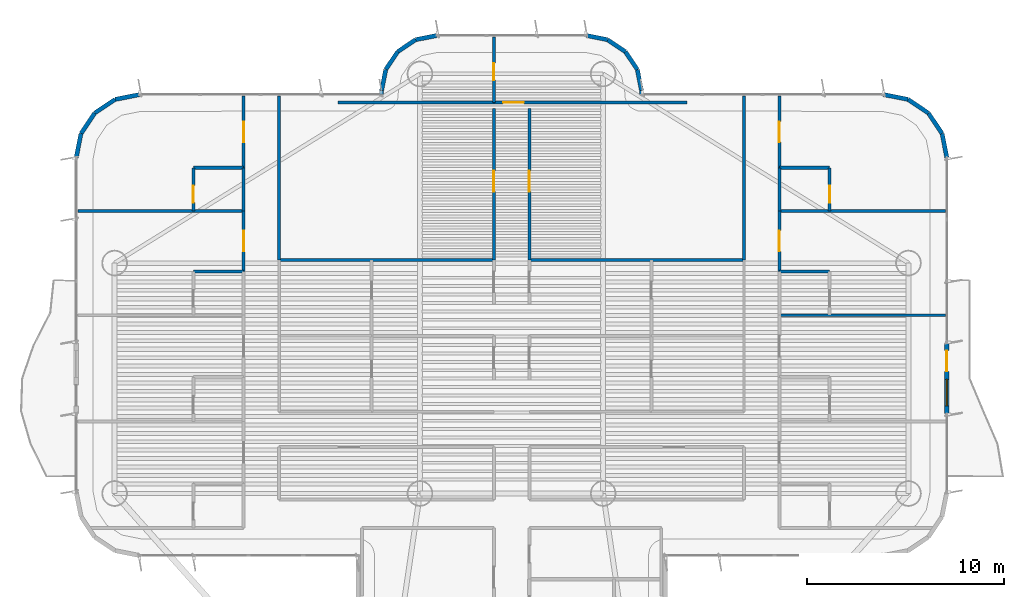
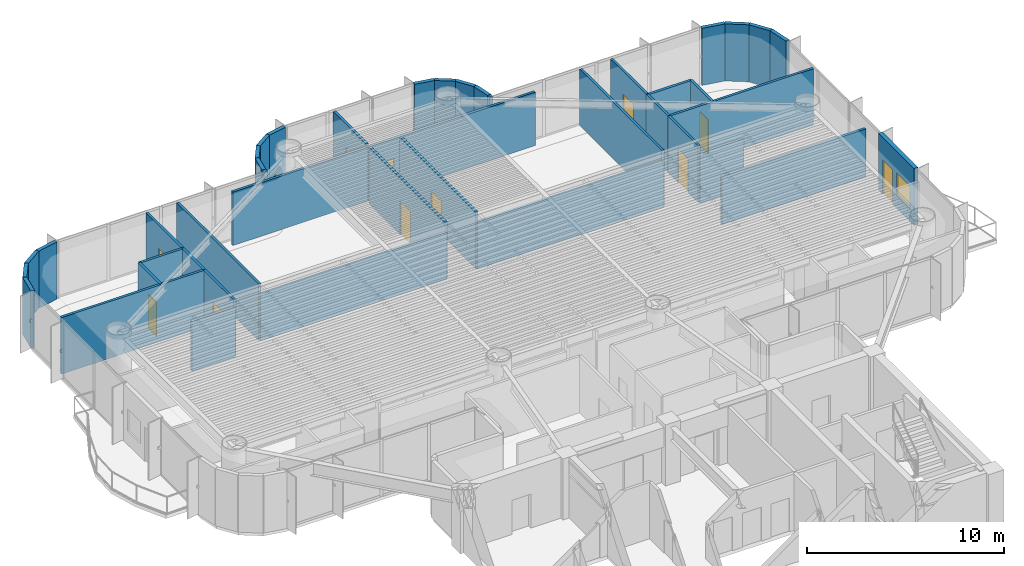
# One storey, part 12 of 17: 43 walls, 11 doors, 1 window, 12 openings.
"""IFC4 building model written with IfcOpenShell, lengths in metres."""

from ifc_helpers import new_model, si_unit, direction, frame, frame_2d, origin, origin_2d, place, context, subcontext, project, spatial, rectangle, extrude, source, transform, mapped, material, layer, layer_set, type_object, element, fill, save


model = new_model("IFC4")

# Units and contexts
model_context = context("Model", 3, precision=1e-05, world=origin(), true_north=direction((0.0, 1.0)))
body_context = subcontext(model_context, "Body", "Model", "MODEL_VIEW")
ifc_project = project(units=[si_unit("LENGTHUNIT", "METRE"), si_unit("AREAUNIT", "SQUARE_METRE"), si_unit("VOLUMEUNIT", "CUBIC_METRE"), si_unit("PLANEANGLEUNIT", "RADIAN"), si_unit("MASSUNIT", "GRAM", prefix="KILO")], contexts=[model_context])

# Site, building, storey
site_placement = place(None, origin())
site = spatial("IfcSite", under=ifc_project, at=site_placement, CompositionType="ELEMENT")
building_placement = place(site_placement, origin())
building = spatial("IfcBuilding", under=site, at=building_placement, Name="Brelvock Crest Care Tower", CompositionType="ELEMENT")
storey_placement = place(building_placement, frame((0.0, 0.0, 135.179931640625)))
storey = spatial("IfcBuildingStorey", under=building, at=storey_placement, Name="L34", CompositionType="ELEMENT", Elevation=135.179931640625)

# Wall, openings, door, window
ifc_material_1 = material(Name="Precast concrete N40 (40 MPa)", Category="concrete")
ifc_layer_1 = layer(ifc_material_1, 0.239990234375, Name="WL-EX1")
ifc_layer_set_1 = layer_set([ifc_layer_1], Name="Precast concrete N40 (40 MPa)")
wall_type_1 = type_object("IfcWallType", Name="WL-EX1", PredefinedType="SOLIDWALL", material=ifc_layer_set_1)
wall_1_placement = place(storey_placement, frame((58.10009765625, 34.800048828125, 0.0), z_axis=(0.0, 0.0, 1.0), x_axis=(0.0, -1.0, 0.0)))
wall_1 = element("IfcWall", 1, at=wall_1_placement, inside=storey, type_object=wall_type_1, Name="L34 Exterior Spandrel Wall WL-BAL-L34-E", PredefinedType="SOLIDWALL", context=body_context, shape_type="SweptSolid", body=[
    extrude(rectangle(XDim=3.60009765625, YDim=0.239990234375, at=frame_2d((1.800048828125, 0.0))), origin(), (0.0, 0.0, 1.0), 3.530029296875),
])
opening_1_placement = place(wall_1_placement, frame((0.39990234375, 0.0, 0.0)))
opening_1 = element("IfcOpeningElement", 2, at=opening_1_placement, cuts=wall_1, Name="Opening BD-1", PredefinedType="OPENING", context=body_context, shape_type="SweptSolid", body=[
    extrude(rectangle(XDim=1.050048828125, YDim=2.14990234375, at=origin_2d()), frame((0.52490234375, 0.1298828125, 1.074951171875), z_axis=(0.0, -1.0, 0.0), x_axis=(1.0, 0.0, 0.0)), (0.0, 0.0, 1.0), 0.260009765625),
])
opening_2_placement = place(wall_1_placement, frame((1.85009765625, 0.0, 0.85009765625)))
opening_2 = element("IfcOpeningElement", 3, at=opening_2_placement, cuts=wall_1, Name="Opening W-01", PredefinedType="OPENING", context=body_context, shape_type="SweptSolid", body=[
    extrude(rectangle(XDim=1.35009765625, YDim=1.35009765625, at=origin_2d()), frame((0.675048828125, 0.1298828125, 0.675048828125), z_axis=(0.0, -1.0, 0.0), x_axis=(1.0, 0.0, 0.0)), (0.0, 0.0, 1.0), 0.260009765625),
])
ifc_material_2 = material(Name="Dark Glass Double Glazed Low-E", Category="glass")
door_type_1 = type_object("IfcDoorType", Name="DR-BAL1", OperationType="NOTDEFINED", PredefinedType="DOOR", material=ifc_material_2)
shared_shape_1 = source(origin(), body_context, "Body", "SweptSolid", [
    extrude(rectangle(XDim=1.050048828125, YDim=2.14990234375, at=origin_2d()), frame((0.52490234375, 0.02490234375, 1.074951171875), z_axis=(0.0, -1.0, 0.0), x_axis=(1.0, 0.0, 0.0)), (0.0, 0.0, 1.0), 0.050048828125),
])
door_1_placement = place(opening_1_placement, origin())
door_1 = element("IfcDoor", 4, at=door_1_placement, inside=storey, type_object=door_type_1, Name="L34 E Wave Balcony Glazed Door", OperationType="SINGLE_SWING_RIGHT", OverallHeight=2.14990234375, OverallWidth=1.050048828125, PredefinedType="DOOR", context=body_context, shape_type="MappedRepresentation", body=[
    mapped(shared_shape_1, transform((0.0, 0.0, 0.0), x_axis=(1.0, 0.0, 0.0), y_axis=(0.0, 1.0, 0.0), z_axis=(0.0, 0.0, 1.0), scale=1.0)),
])
fill(opening_1, door_1)
window_type = type_object("IfcWindowType", Name="WN-EX1", PartitioningType="SINGLE_PANEL", PredefinedType="WINDOW", material=ifc_material_2)
shared_shape_2 = source(origin(), body_context, "Body", "SweptSolid", [
    extrude(rectangle(XDim=1.35009765625, YDim=1.35009765625, at=origin_2d()), frame((0.675048828125, 0.030029296875, 0.675048828125), z_axis=(0.0, -1.0, 0.0), x_axis=(1.0, 0.0, 0.0)), (0.0, 0.0, 1.0), 0.06005859375),
])
window_placement = place(opening_2_placement, origin())
window = element("IfcWindow", 5, at=window_placement, inside=storey, type_object=window_type, Name="L34 E Suite Casement Window", OverallHeight=1.35009765625, OverallWidth=1.35009765625, PartitioningType="SINGLE_PANEL", PredefinedType="WINDOW", context=body_context, shape_type="MappedRepresentation", body=[
    mapped(shared_shape_2, transform((0.0, 0.0, 0.0), x_axis=(1.0, 0.0, 0.0), y_axis=(0.0, 1.0, 0.0), z_axis=(0.0, 0.0, 1.0), scale=1.0)),
])
fill(opening_2, window)

# Walls
ifc_layer_2 = layer(ifc_material_1, 0.215087890625, Name="WL-EX2")
ifc_layer_set_2 = layer_set([ifc_layer_2], Name="Precast concrete N40 (40 MPa)")
wall_type_2 = type_object("IfcWallType", Name="WL-EX2", PredefinedType="SOLIDWALL", material=ifc_layer_set_2)
for number, where, z_axis, x_axis, name in (
    (6, (13.89990234375, 44.199951171875, 0.0), (0.0, 0.0, 1.0), (0.195138390419, 0.980775717779, 0.0), "L34 Rounded Corner Wall 18"),
    (7, (14.1435546875, 45.424560546875, 0.0), (0.0, 0.0, 1.0), (0.555692485475, 0.831387912822, 0.0), "L34 Rounded Corner Wall 19"),
    (8, (14.83740234375, 46.462646484375, 0.0), (0.0, 0.0, 1.0), (0.831387912822, 0.555692485475, 0.0), "L34 Rounded Corner Wall 20"),
    (9, (15.87548828125, 47.156494140625, 0.0), (0.0, 0.0, 1.0), (0.980813122964, 0.194950295773, 0.0), "L34 Rounded Corner Wall 21"),
):
    element("IfcWall", number, at=place(storey_placement, frame(where, z_axis=z_axis, x_axis=x_axis)), inside=storey, type_object=wall_type_2, Name=name, PredefinedType="SOLIDWALL", context=body_context, shape_type="SweptSolid", body=[
        extrude(rectangle(XDim=1.24853515625, YDim=0.215087890625, at=frame_2d((0.624267578125, 0.0))), origin(), (0.0, 0.0, 1.0), 3.530029296875),
    ])
wall_2_placement = place(storey_placement, frame((29.39990234375, 47.39990234375, 0.0), z_axis=(0.0, 0.0, 1.0), x_axis=(0.0, 1.0, 0.0)))
element("IfcWall", 10, at=wall_2_placement, inside=storey, type_object=wall_type_2, Name="L34 Rounded Corner Wall 23", PredefinedType="SOLIDWALL", context=body_context, shape_type="SweptSolid", body=[
    extrude(rectangle(XDim=0.2001953125, YDim=0.215087890625, at=frame_2d((0.10009765625, 0.0))), origin(), (0.0, 0.0, 1.0), 3.530029296875),
])
wall_3_placement = place(storey_placement, frame((29.39990234375, 47.60009765625, 0.0), z_axis=(0.0, 0.0, 1.0), x_axis=(0.195127417394, 0.980777900945, 0.0)))
element("IfcWall", 11, at=wall_3_placement, inside=storey, type_object=wall_type_2, Name="L34 Rounded Corner Wall 24", PredefinedType="SOLIDWALL", context=body_context, shape_type="SweptSolid", body=[
    extrude(rectangle(XDim=1.09228515625, YDim=0.215087890625, at=frame_2d((0.546142578125, 0.0))), origin(), (0.0, 0.0, 1.0), 3.530029296875),
])
wall_4_placement = place(storey_placement, frame((29.613037109375, 48.67138671875, 0.0), z_axis=(0.0, 0.0, 1.0), x_axis=(0.555679482341, 0.831396603857, 0.0)))
element("IfcWall", 12, at=wall_4_placement, inside=storey, type_object=wall_type_2, Name="L34 Rounded Corner Wall 25", PredefinedType="SOLIDWALL", context=body_context, shape_type="SweptSolid", body=[
    extrude(rectangle(XDim=1.0927734375, YDim=0.215087890625, at=frame_2d((0.54638671875, 0.0))), origin(), (0.0, 0.0, 1.0), 3.530029296875),
])
for number, where, z_axis, x_axis, name in (
    (13, (30.22021484375, 49.579833984375, 0.0), (0.0, 0.0, 1.0), (0.831327592857, 0.555782721353, 0.0), "L34 Rounded Corner Wall 26"),
    (14, (31.12841796875, 50.18701171875, 0.0), (0.0, 0.0, 1.0), (0.980829143587, 0.194869677195, 0.0), "L34 Rounded Corner Wall 27"),
    (15, (39.800048828125, 50.39990234375, 0.0), (0.0, 0.0, 1.0), (0.980829143587, -0.194869677195, 0.0), "L34 Rounded Corner Wall 29"),
    (16, (40.87158203125, 50.18701171875, 0.0), (0.0, 0.0, 1.0), (0.831327592857, -0.555782721353, 0.0), "L34 Rounded Corner Wall 30"),
):
    element("IfcWall", number, at=place(storey_placement, frame(where, z_axis=z_axis, x_axis=x_axis)), inside=storey, type_object=wall_type_2, Name=name, PredefinedType="SOLIDWALL", context=body_context, shape_type="SweptSolid", body=[
        extrude(rectangle(XDim=1.092529296875, YDim=0.215087890625, at=frame_2d((0.54638671875, 0.0))), origin(), (0.0, 0.0, 1.0), 3.530029296875),
    ])
wall_5_placement = place(storey_placement, frame((41.77978515625, 49.579833984375, 0.0), z_axis=(0.0, 0.0, 1.0), x_axis=(0.555679482341, -0.831396603857, 0.0)))
element("IfcWall", 17, at=wall_5_placement, inside=storey, type_object=wall_type_2, Name="L34 Rounded Corner Wall 31", PredefinedType="SOLIDWALL", context=body_context, shape_type="SweptSolid", body=[
    extrude(rectangle(XDim=1.0927734375, YDim=0.215087890625, at=frame_2d((0.54638671875, 0.0))), origin(), (0.0, 0.0, 1.0), 3.530029296875),
])
wall_6_placement = place(storey_placement, frame((42.386962890625, 48.67138671875, 0.0), z_axis=(0.0, 0.0, 1.0), x_axis=(0.195127417394, -0.980777900945, 0.0)))
element("IfcWall", 18, at=wall_6_placement, inside=storey, type_object=wall_type_2, Name="L34 Rounded Corner Wall 32", PredefinedType="SOLIDWALL", context=body_context, shape_type="SweptSolid", body=[
    extrude(rectangle(XDim=1.09228515625, YDim=0.215087890625, at=frame_2d((0.546142578125, 0.0))), origin(), (0.0, 0.0, 1.0), 3.530029296875),
])
wall_7_placement = place(storey_placement, frame((42.60009765625, 47.60009765625, 0.0), z_axis=(0.0, 0.0, 1.0), x_axis=(0.0, -1.0, 0.0)))
element("IfcWall", 19, at=wall_7_placement, inside=storey, type_object=wall_type_2, Name="L34 Rounded Corner Wall 33", PredefinedType="SOLIDWALL", context=body_context, shape_type="SweptSolid", body=[
    extrude(rectangle(XDim=0.2001953125, YDim=0.215087890625, at=frame_2d((0.10009765625, 0.0))), origin(), (0.0, 0.0, 1.0), 3.530029296875),
])
for number, where, z_axis, x_axis, name in (
    (20, (54.89990234375, 47.39990234375, 0.0), (0.0, 0.0, 1.0), (0.980813122964, -0.194950295773, 0.0), "L34 Rounded Corner Wall 35"),
    (21, (56.12451171875, 47.156494140625, 0.0), (0.0, 0.0, 1.0), (0.831387912822, -0.555692485475, 0.0), "L34 Rounded Corner Wall 36"),
    (22, (57.16259765625, 46.462646484375, 0.0), (0.0, 0.0, 1.0), (0.555692485475, -0.831387912822, 0.0), "L34 Rounded Corner Wall 37"),
    (23, (57.8564453125, 45.424560546875, 0.0), (0.0, 0.0, 1.0), (0.195138390419, -0.980775717779, 0.0), "L34 Rounded Corner Wall 38"),
):
    element("IfcWall", number, at=place(storey_placement, frame(where, z_axis=z_axis, x_axis=x_axis)), inside=storey, type_object=wall_type_2, Name=name, PredefinedType="SOLIDWALL", context=body_context, shape_type="SweptSolid", body=[
        extrude(rectangle(XDim=1.24853515625, YDim=0.215087890625, at=frame_2d((0.624267578125, 0.0))), origin(), (0.0, 0.0, 1.0), 3.530029296875),
    ])
ifc_material_3 = material(Name="Masonry Blockwork Acoustic Partition", Category="masonry")
ifc_layer_3 = layer(ifc_material_3, 0.14990234375, Name="WL-INT1")
ifc_layer_set_3 = layer_set([ifc_layer_3], Name="Masonry Blockwork Acoustic Partition")
wall_type_3 = type_object("IfcWallType", Name="WL-INT1", PredefinedType="PARTITIONING", material=ifc_layer_set_3)
wall_8_placement = place(storey_placement, frame((49.60009765625, 36.199951171875, 0.0), z_axis=(0.0, 0.0, 1.0), x_axis=(1.0, 0.0, 0.0)))
element("IfcWall", 24, at=wall_8_placement, inside=storey, type_object=wall_type_3, Name="L34 Interior Wall WL-BX-L34-CS-SNE2-N", PredefinedType="PARTITIONING", context=body_context, shape_type="SweptSolid", body=[
    extrude(rectangle(XDim=8.419921875, YDim=0.14990234375, at=frame_2d((4.2099609375, 0.0))), origin(), (0.0, 0.0, 1.0), 2.982177734375),
])
for number, where, z_axis, x_axis, name in (
    (25, (24.199951171875, 39.0, 0.0), (0.0, 0.0, 1.0), (1.0, 0.0, 0.0), "L34 Interior Wall WL-BX-L34-INWD-S"),
    (26, (36.89990234375, 39.0, 0.0), (0.0, 0.0, 1.0), (1.0, 0.0, 0.0), "L34 Interior Wall WL-BX-L34-INED-S"),
):
    element("IfcWall", number, at=place(storey_placement, frame(where, z_axis=z_axis, x_axis=x_axis)), inside=storey, type_object=wall_type_3, Name=name, PredefinedType="PARTITIONING", context=body_context, shape_type="SweptSolid", body=[
        extrude(rectangle(XDim=10.900146484375, YDim=0.14990234375, at=frame_2d((5.4501953125, 0.0))), origin(), (0.0, 0.0, 1.0), 2.903076171875),
    ])
for number, where, z_axis, x_axis, name in (
    (27, (13.97998046875, 41.5, 0.0), (0.0, 0.0, 1.0), (1.0, 0.0, 0.0), "L34 Interior Wall WL-BX-L34-CS-SNW3-N"),
    (28, (49.60009765625, 41.5, 0.0), (0.0, 0.0, 1.0), (1.0, 0.0, 0.0), "L34 Interior Wall WL-BX-L34-CS-SNE3-N"),
):
    element("IfcWall", number, at=place(storey_placement, frame(where, z_axis=z_axis, x_axis=x_axis)), inside=storey, type_object=wall_type_3, Name=name, PredefinedType="PARTITIONING", context=body_context, shape_type="SweptSolid", body=[
        extrude(rectangle(XDim=8.419921875, YDim=0.14990234375, at=frame_2d((4.2099609375, 0.0))), origin(), (0.0, 0.0, 1.0), 3.5),
    ])
wall_9_placement = place(storey_placement, frame((27.19775390625, 47.0, 0.0), z_axis=(0.0, 0.0, 1.0), x_axis=(1.0, 0.0, 0.0)))
element("IfcWall", 29, at=wall_9_placement, inside=storey, type_object=wall_type_3, Name="L34 Interior Wall WL-BX-L34-SNKT-S", PredefinedType="PARTITIONING", context=body_context, shape_type="SweptSolid", body=[
    extrude(rectangle(XDim=7.90234375, YDim=0.14990234375, at=frame_2d((3.951171875, 0.0))), origin(), (0.0, 0.0, 1.0), 3.30810546875),
])

# Wall, opening, door
wall_10_placement = place(storey_placement, frame((35.10009765625, 47.0, 0.0), z_axis=(0.0, 0.0, 1.0), x_axis=(1.0, 0.0, 0.0)))
wall_10 = element("IfcWall", 30, at=wall_10_placement, inside=storey, type_object=wall_type_3, Name="L34 Interior Wall WL-RM-L34-NHUB", PredefinedType="PARTITIONING", context=body_context, shape_type="SweptSolid", body=[
    extrude(rectangle(XDim=9.7998046875, YDim=0.14990234375, at=frame_2d((4.89990234375, 0.0))), origin(), (0.0, 0.0, 1.0), 3.30810546875),
])
opening_3_placement = place(wall_10_placement, frame((0.47509765625, 0.0, 0.0)))
opening_3 = element("IfcOpeningElement", 31, at=opening_3_placement, cuts=wall_10, Name="Opening CLD-1", PredefinedType="OPENING", context=body_context, shape_type="SweptSolid", body=[
    extrude(rectangle(XDim=1.050048828125, YDim=2.10009765625, at=origin_2d()), frame((0.52490234375, 0.0849609375, 1.050048828125), z_axis=(0.0, -1.0, 0.0), x_axis=(1.0, 0.0, 0.0)), (0.0, 0.0, 1.0), 0.169921875),
])
ifc_material_4 = material(Name="Engineered Hardwood Timber", Category="wood")
door_type_2 = type_object("IfcDoorType", Name="DR-CLN1", OperationType="NOTDEFINED", PredefinedType="DOOR", material=ifc_material_4)
shared_shape_3 = source(origin(), body_context, "Body", "SweptSolid", [
    extrude(rectangle(XDim=1.050048828125, YDim=2.10009765625, at=origin_2d()), frame((0.52490234375, 0.02490234375, 1.050048828125), z_axis=(0.0, -1.0, 0.0), x_axis=(1.0, 0.0, 0.0)), (0.0, 0.0, 1.0), 0.050048828125),
])
door_2_placement = place(opening_3_placement, origin())
door_2 = element("IfcDoor", 32, at=door_2_placement, inside=storey, type_object=door_type_2, Name="L34 North Panorama Sunroom Door NHUB", OperationType="SINGLE_SWING_LEFT", OverallHeight=2.10009765625, OverallWidth=1.050048828125, PredefinedType="DOOR", context=body_context, shape_type="MappedRepresentation", body=[
    mapped(shared_shape_3, transform((0.0, 0.0, 0.0), x_axis=(1.0, 0.0, 0.0), y_axis=(0.0, 1.0, 0.0), z_axis=(0.0, 0.0, 1.0), scale=1.0)),
])
fill(opening_3, door_2)

wall_11_placement = place(storey_placement, frame((22.39990234375, 38.426025390625, 0.0), z_axis=(0.0, 0.0, 1.0), x_axis=(0.0, 1.0, 0.0)))
wall_11 = element("IfcWall", 33, at=wall_11_placement, inside=storey, type_object=wall_type_3, Name="L34 Interior Wall WL-CENT-L34-SNW3", PredefinedType="PARTITIONING", context=body_context, shape_type="SweptSolid", body=[
    extrude(rectangle(XDim=3.073974609375, YDim=0.14990234375, at=frame_2d((1.537109375, 0.0))), origin(), (0.0, 0.0, 1.0), 3.5),
])
opening_4_placement = place(wall_11_placement, frame((1.01708984375, 0.0, 0.0)))
opening_4 = element("IfcOpeningElement", 34, at=opening_4_placement, cuts=wall_11, Name="Opening CD-1", PredefinedType="OPENING", context=body_context, shape_type="SweptSolid", body=[
    extrude(rectangle(XDim=1.050048828125, YDim=2.10009765625, at=origin_2d()), frame((0.52490234375, 0.0849609375, 1.050048828125), z_axis=(0.0, -1.0, 0.0), x_axis=(1.0, 0.0, 0.0)), (0.0, 0.0, 1.0), 0.169921875),
])
door_type_3 = type_object("IfcDoorType", Name="DR-CARE1", OperationType="NOTDEFINED", PredefinedType="DOOR", material=ifc_material_4)
shared_shape_4 = source(origin(), body_context, "Body", "SweptSolid", [
    extrude(rectangle(XDim=1.050048828125, YDim=2.10009765625, at=origin_2d()), frame((0.52490234375, 0.02490234375, 1.050048828125), z_axis=(0.0, -1.0, 0.0), x_axis=(1.0, 0.0, 0.0)), (0.0, 0.0, 1.0), 0.050048828125),
])
door_3_placement = place(opening_4_placement, origin())
door_3 = element("IfcDoor", 35, at=door_3_placement, inside=storey, type_object=door_type_3, Name="L34 Care Suite Door SNW3", OperationType="SINGLE_SWING_LEFT", OverallHeight=2.10009765625, OverallWidth=1.050048828125, PredefinedType="DOOR", context=body_context, shape_type="MappedRepresentation", body=[
    mapped(shared_shape_4, transform((0.0, 0.0, 0.0), x_axis=(1.0, 0.0, 0.0), y_axis=(0.0, 1.0, 0.0), z_axis=(0.0, 0.0, 1.0), scale=1.0)),
])
fill(opening_4, door_3)

wall_12_placement = place(storey_placement, frame((22.39990234375, 43.68408203125, 0.0), z_axis=(0.0, 0.0, 1.0), x_axis=(0.0, 1.0, 0.0)))
wall_12 = element("IfcWall", 36, at=wall_12_placement, inside=storey, type_object=wall_type_3, Name="L34 Interior Wall WL-CENT-L34-SNW4", PredefinedType="PARTITIONING", context=body_context, shape_type="SweptSolid", body=[
    extrude(rectangle(XDim=3.63671875, YDim=0.14990234375, at=frame_2d((1.818359375, 0.0))), origin(), (0.0, 0.0, 1.0), 3.5),
])
opening_5_placement = place(wall_12_placement, frame((1.298095703125, 0.0, 0.0)))
opening_5 = element("IfcOpeningElement", 37, at=opening_5_placement, cuts=wall_12, Name="Opening CD-1", PredefinedType="OPENING", context=body_context, shape_type="SweptSolid", body=[
    extrude(rectangle(XDim=1.050048828125, YDim=2.10009765625, at=origin_2d()), frame((0.52490234375, 0.0849609375, 1.050048828125), z_axis=(0.0, -1.0, 0.0), x_axis=(1.0, 0.0, 0.0)), (0.0, 0.0, 1.0), 0.169921875),
])
door_4_placement = place(opening_5_placement, origin())
door_4 = element("IfcDoor", 38, at=door_4_placement, inside=storey, type_object=door_type_3, Name="L34 Care Suite Door SNW4", OperationType="SINGLE_SWING_LEFT", OverallHeight=2.10009765625, OverallWidth=1.050048828125, PredefinedType="DOOR", context=body_context, shape_type="MappedRepresentation", body=[
    mapped(shared_shape_4, transform((0.0, 0.0, 0.0), x_axis=(1.0, 0.0, 0.0), y_axis=(0.0, 1.0, 0.0), z_axis=(0.0, 0.0, 1.0), scale=1.0)),
])
fill(opening_5, door_4)

# Wall
wall_13_placement = place(storey_placement, frame((24.199951171875, 39.0, 0.0), z_axis=(0.0, 0.0, 1.0), x_axis=(0.0, 1.0, 0.0)))
element("IfcWall", 39, at=wall_13_placement, inside=storey, type_object=wall_type_3, Name="L34 Interior Wall WL-BX-L34-INWD-W", PredefinedType="PARTITIONING", context=body_context, shape_type="SweptSolid", body=[
    extrude(rectangle(XDim=8.32080078125, YDim=0.14990234375, at=frame_2d((4.160400390625, 0.0))), origin(), (0.0, 0.0, 1.0), 3.5),
])

# Wall, opening, door
wall_14_placement = place(storey_placement, frame((35.10009765625, 39.0, 0.0), z_axis=(0.0, 0.0, 1.0), x_axis=(0.0, 1.0, 0.0)))
wall_14 = element("IfcWall", 40, at=wall_14_placement, inside=storey, type_object=wall_type_3, Name="L34 Interior Wall WL-RM-L34-INWD", PredefinedType="PARTITIONING", context=body_context, shape_type="SweptSolid", body=[
    extrude(rectangle(XDim=7.699951171875, YDim=0.14990234375, at=frame_2d((3.85009765625, 0.0))), origin(), (0.0, 0.0, 1.0), 3.5),
])
opening_6_placement = place(wall_14_placement, frame((3.47509765625, 0.0, 0.0)))
opening_6 = element("IfcOpeningElement", 41, at=opening_6_placement, cuts=wall_14, Name="Opening CLD-1", PredefinedType="OPENING", context=body_context, shape_type="SweptSolid", body=[
    extrude(rectangle(XDim=1.050048828125, YDim=2.10009765625, at=origin_2d()), frame((0.52490234375, 0.0849609375, 1.050048828125), z_axis=(0.0, -1.0, 0.0), x_axis=(1.0, 0.0, 0.0)), (0.0, 0.0, 1.0), 0.169921875),
])
door_5_placement = place(opening_6_placement, origin())
door_5 = element("IfcDoor", 42, at=door_5_placement, inside=storey, type_object=door_type_2, Name="L34 Nursing Ward Medication Clinic Door INWD", OperationType="SINGLE_SWING_LEFT", OverallHeight=2.10009765625, OverallWidth=1.050048828125, PredefinedType="DOOR", context=body_context, shape_type="MappedRepresentation", body=[
    mapped(shared_shape_3, transform((0.0, 0.0, 0.0), x_axis=(1.0, 0.0, 0.0), y_axis=(0.0, 1.0, 0.0), z_axis=(0.0, 0.0, 1.0), scale=1.0)),
])
fill(opening_6, door_5)

wall_15_placement = place(storey_placement, frame((35.10009765625, 47.0, 0.0), z_axis=(0.0, 0.0, 1.0), x_axis=(0.0, 1.0, 0.0)))
wall_15 = element("IfcWall", 43, at=wall_15_placement, inside=storey, type_object=wall_type_3, Name="L34 Interior Wall WL-RM-L34-SNKT", PredefinedType="PARTITIONING", context=body_context, shape_type="SweptSolid", body=[
    extrude(rectangle(XDim=3.320068359375, YDim=0.14990234375, at=frame_2d((1.66015625, 0.0))), origin(), (0.0, 0.0, 1.0), 3.5),
])
opening_7_placement = place(wall_15_placement, frame((1.139892578125, 0.0, 0.0)))
opening_7 = element("IfcOpeningElement", 44, at=opening_7_placement, cuts=wall_15, Name="Opening ID-1", PredefinedType="OPENING", context=body_context, shape_type="SweptSolid", body=[
    extrude(rectangle(XDim=0.860107421875, YDim=2.10009765625, at=origin_2d()), frame((0.43017578125, 0.0849609375, 1.050048828125), z_axis=(0.0, -1.0, 0.0), x_axis=(1.0, 0.0, 0.0)), (0.0, 0.0, 1.0), 0.169921875),
])
door_type_4 = type_object("IfcDoorType", Name="DR-INT1", OperationType="NOTDEFINED", PredefinedType="DOOR", material=ifc_material_4)
shared_shape_5 = source(origin(), body_context, "Body", "SweptSolid", [
    extrude(rectangle(XDim=0.860107421875, YDim=2.10009765625, at=origin_2d()), frame((0.43017578125, 0.02490234375, 1.050048828125), z_axis=(0.0, -1.0, 0.0), x_axis=(1.0, 0.0, 0.0)), (0.0, 0.0, 1.0), 0.050048828125),
])
door_6_placement = place(opening_7_placement, origin())
door_6 = element("IfcDoor", 45, at=door_6_placement, inside=storey, type_object=door_type_4, Name="L34 Ward Finishing Kitchen Door SNKT", OperationType="SINGLE_SWING_LEFT", OverallHeight=2.10009765625, OverallWidth=0.860107421875, PredefinedType="DOOR", context=body_context, shape_type="MappedRepresentation", body=[
    mapped(shared_shape_5, transform((0.0, 0.0, 0.0), x_axis=(1.0, 0.0, 0.0), y_axis=(0.0, 1.0, 0.0), z_axis=(0.0, 0.0, 1.0), scale=1.0)),
])
fill(opening_7, door_6)

wall_16_placement = place(storey_placement, frame((36.89990234375, 39.0, 0.0), z_axis=(0.0, 0.0, 1.0), x_axis=(0.0, 1.0, 0.0)))
wall_16 = element("IfcWall", 46, at=wall_16_placement, inside=storey, type_object=wall_type_3, Name="L34 Interior Wall WL-RM-L34-INED", PredefinedType="PARTITIONING", context=body_context, shape_type="SweptSolid", body=[
    extrude(rectangle(XDim=7.699951171875, YDim=0.14990234375, at=frame_2d((3.85009765625, 0.0))), origin(), (0.0, 0.0, 1.0), 3.5),
])
opening_8_placement = place(wall_16_placement, frame((3.47509765625, 0.0, 0.0)))
opening_8 = element("IfcOpeningElement", 47, at=opening_8_placement, cuts=wall_16, Name="Opening CLD-1", PredefinedType="OPENING", context=body_context, shape_type="SweptSolid", body=[
    extrude(rectangle(XDim=1.050048828125, YDim=2.10009765625, at=origin_2d()), frame((0.52490234375, 0.0849609375, 1.050048828125), z_axis=(0.0, -1.0, 0.0), x_axis=(1.0, 0.0, 0.0)), (0.0, 0.0, 1.0), 0.169921875),
])
door_7_placement = place(opening_8_placement, origin())
door_7 = element("IfcDoor", 48, at=door_7_placement, inside=storey, type_object=door_type_2, Name="L34 Resident Family Dining Salon Door INED", OperationType="SINGLE_SWING_LEFT", OverallHeight=2.10009765625, OverallWidth=1.050048828125, PredefinedType="DOOR", context=body_context, shape_type="MappedRepresentation", body=[
    mapped(shared_shape_3, transform((0.0, 0.0, 0.0), x_axis=(1.0, 0.0, 0.0), y_axis=(0.0, 1.0, 0.0), z_axis=(0.0, 0.0, 1.0), scale=1.0)),
])
fill(opening_8, door_7)

# Wall
wall_17_placement = place(storey_placement, frame((47.800048828125, 39.0, 0.0), z_axis=(0.0, 0.0, 1.0), x_axis=(0.0, 1.0, 0.0)))
element("IfcWall", 49, at=wall_17_placement, inside=storey, type_object=wall_type_3, Name="L34 Interior Wall WL-BX-L34-INED-E", PredefinedType="PARTITIONING", context=body_context, shape_type="SweptSolid", body=[
    extrude(rectangle(XDim=8.32080078125, YDim=0.14990234375, at=frame_2d((4.160400390625, 0.0))), origin(), (0.0, 0.0, 1.0), 3.5),
])

# Wall, opening, door
wall_18_placement = place(storey_placement, frame((49.60009765625, 38.426025390625, 0.0), z_axis=(0.0, 0.0, 1.0), x_axis=(0.0, 1.0, 0.0)))
wall_18 = element("IfcWall", 50, at=wall_18_placement, inside=storey, type_object=wall_type_3, Name="L34 Interior Wall WL-CENT-L34-SNE3", PredefinedType="PARTITIONING", context=body_context, shape_type="SweptSolid", body=[
    extrude(rectangle(XDim=3.073974609375, YDim=0.14990234375, at=frame_2d((1.537109375, 0.0))), origin(), (0.0, 0.0, 1.0), 3.5),
])
opening_9_placement = place(wall_18_placement, frame((1.01708984375, 0.0, 0.0)))
opening_9 = element("IfcOpeningElement", 51, at=opening_9_placement, cuts=wall_18, Name="Opening CD-1", PredefinedType="OPENING", context=body_context, shape_type="SweptSolid", body=[
    extrude(rectangle(XDim=1.050048828125, YDim=2.10009765625, at=origin_2d()), frame((0.52490234375, 0.0849609375, 1.050048828125), z_axis=(0.0, -1.0, 0.0), x_axis=(1.0, 0.0, 0.0)), (0.0, 0.0, 1.0), 0.169921875),
])
door_8_placement = place(opening_9_placement, origin())
door_8 = element("IfcDoor", 52, at=door_8_placement, inside=storey, type_object=door_type_3, Name="L34 Care Suite Door SNE3", OperationType="SINGLE_SWING_LEFT", OverallHeight=2.10009765625, OverallWidth=1.050048828125, PredefinedType="DOOR", context=body_context, shape_type="MappedRepresentation", body=[
    mapped(shared_shape_4, transform((0.0, 0.0, 0.0), x_axis=(1.0, 0.0, 0.0), y_axis=(0.0, 1.0, 0.0), z_axis=(0.0, 0.0, 1.0), scale=1.0)),
])
fill(opening_9, door_8)

wall_19_placement = place(storey_placement, frame((49.60009765625, 43.68408203125, 0.0), z_axis=(0.0, 0.0, 1.0), x_axis=(0.0, 1.0, 0.0)))
wall_19 = element("IfcWall", 53, at=wall_19_placement, inside=storey, type_object=wall_type_3, Name="L34 Interior Wall WL-CENT-L34-SNE4", PredefinedType="PARTITIONING", context=body_context, shape_type="SweptSolid", body=[
    extrude(rectangle(XDim=3.63671875, YDim=0.14990234375, at=frame_2d((1.818359375, 0.0))), origin(), (0.0, 0.0, 1.0), 3.5),
])
opening_10_placement = place(wall_19_placement, frame((1.298095703125, 0.0, 0.0)))
opening_10 = element("IfcOpeningElement", 54, at=opening_10_placement, cuts=wall_19, Name="Opening CD-1", PredefinedType="OPENING", context=body_context, shape_type="SweptSolid", body=[
    extrude(rectangle(XDim=1.050048828125, YDim=2.10009765625, at=origin_2d()), frame((0.52490234375, 0.0849609375, 1.050048828125), z_axis=(0.0, -1.0, 0.0), x_axis=(1.0, 0.0, 0.0)), (0.0, 0.0, 1.0), 0.169921875),
])
door_9_placement = place(opening_10_placement, origin())
door_9 = element("IfcDoor", 55, at=door_9_placement, inside=storey, type_object=door_type_3, Name="L34 Care Suite Door SNE4", OperationType="SINGLE_SWING_LEFT", OverallHeight=2.10009765625, OverallWidth=1.050048828125, PredefinedType="DOOR", context=body_context, shape_type="MappedRepresentation", body=[
    mapped(shared_shape_4, transform((0.0, 0.0, 0.0), x_axis=(1.0, 0.0, 0.0), y_axis=(0.0, 1.0, 0.0), z_axis=(0.0, 0.0, 1.0), scale=1.0)),
])
fill(opening_10, door_9)

# Walls
ifc_material_5 = material(Name="Gypsum Plasterboard Partition", Category="gypsum")
ifc_layer_4 = layer(ifc_material_5, 0.159912109375, Name="WL-PLM1")
ifc_layer_set_4 = layer_set([ifc_layer_4], Name="Gypsum Plasterboard Partition")
wall_type_4 = type_object("IfcWallType", Name="WL-PLM1", PredefinedType="PLUMBINGWALL", material=ifc_layer_set_4)
for number, where, z_axis, x_axis, name in (
    (56, (19.85009765625, 38.426025390625, 0.0), (0.0, 0.0, 1.0), (1.0, 0.0, 0.0), "L34 Interior Wall WL-CENS2-L34-SNW3"),
    (57, (49.60009765625, 38.426025390625, 0.0), (0.0, 0.0, 1.0), (1.0, 0.0, 0.0), "L34 Interior Wall WL-CENS2-L34-SNE3"),
):
    element("IfcWall", number, at=place(storey_placement, frame(where, z_axis=z_axis, x_axis=x_axis)), inside=storey, type_object=wall_type_4, Name=name, PredefinedType="PLUMBINGWALL", context=body_context, shape_type="SweptSolid", body=[
        extrude(rectangle(XDim=2.5498046875, YDim=0.159912109375, at=frame_2d((1.27490234375, 0.0))), origin(), (0.0, 0.0, 1.0), 3.05517578125),
    ])
for number, where, z_axis, x_axis, name in (
    (58, (19.85009765625, 43.68408203125, 0.0), (0.0, 0.0, 1.0), (1.0, 0.0, 0.0), "L34 Interior Wall WL-CENS2-L34-SNW4"),
    (59, (49.60009765625, 43.68408203125, 0.0), (0.0, 0.0, 1.0), (1.0, 0.0, 0.0), "L34 Interior Wall WL-CENS2-L34-SNE4"),
):
    element("IfcWall", number, at=place(storey_placement, frame(where, z_axis=z_axis, x_axis=x_axis)), inside=storey, type_object=wall_type_4, Name=name, PredefinedType="PLUMBINGWALL", context=body_context, shape_type="SweptSolid", body=[
        extrude(rectangle(XDim=2.5498046875, YDim=0.159912109375, at=frame_2d((1.27490234375, 0.0))), origin(), (0.0, 0.0, 1.0), 3.5),
    ])

# Wall, opening, door
wall_20_placement = place(storey_placement, frame((19.85009765625, 41.5, 0.0), z_axis=(0.0, 0.0, 1.0), x_axis=(0.0, 1.0, 0.0)))
wall_20 = element("IfcWall", 60, at=wall_20_placement, inside=storey, type_object=wall_type_4, Name="L34 Interior Wall WL-CENS1-L34-SNW4", PredefinedType="PLUMBINGWALL", context=body_context, shape_type="SweptSolid", body=[
    extrude(rectangle(XDim=2.18408203125, YDim=0.159912109375, at=frame_2d((1.092041015625, 0.0))), origin(), (0.0, 0.0, 1.0), 3.5),
])
opening_11_placement = place(wall_20_placement, frame((0.419921875, 0.0, 0.0)))
opening_11 = element("IfcOpeningElement", 61, at=opening_11_placement, cuts=wall_20, Name="Opening WD-1", PredefinedType="OPENING", context=body_context, shape_type="SweptSolid", body=[
    extrude(rectangle(XDim=0.860107421875, YDim=2.10009765625, at=origin_2d()), frame((0.43017578125, 0.08984375, 1.050048828125), z_axis=(0.0, -1.0, 0.0), x_axis=(1.0, 0.0, 0.0)), (0.0, 0.0, 1.0), 0.179931640625),
])
door_type_5 = type_object("IfcDoorType", Name="DR-WC1", OperationType="NOTDEFINED", PredefinedType="DOOR", material=ifc_material_4)
shared_shape_6 = source(origin(), body_context, "Body", "SweptSolid", [
    extrude(rectangle(XDim=0.860107421875, YDim=2.10009765625, at=origin_2d()), frame((0.43017578125, 0.02490234375, 1.050048828125), z_axis=(0.0, -1.0, 0.0), x_axis=(1.0, 0.0, 0.0)), (0.0, 0.0, 1.0), 0.050048828125),
])
door_10_placement = place(opening_11_placement, origin())
door_10 = element("IfcDoor", 62, at=door_10_placement, inside=storey, type_object=door_type_5, Name="L34 Care En-Suite Door SNW4", OperationType="SINGLE_SWING_LEFT", OverallHeight=2.10009765625, OverallWidth=0.860107421875, PredefinedType="DOOR", context=body_context, shape_type="MappedRepresentation", body=[
    mapped(shared_shape_6, transform((0.0, 0.0, 0.0), x_axis=(1.0, 0.0, 0.0), y_axis=(0.0, 1.0, 0.0), z_axis=(0.0, 0.0, 1.0), scale=1.0)),
])
fill(opening_11, door_10)

# Walls
for number, where, z_axis, x_axis, name in (
    (63, (22.39990234375, 41.5, 0.0), (0.0, 0.0, 1.0), (0.0, 1.0, 0.0), "L34 Interior Wall WL-CENS0-L34-SNW4"),
    (64, (49.60009765625, 41.5, 0.0), (0.0, 0.0, 1.0), (0.0, 1.0, 0.0), "L34 Interior Wall WL-CENS0-L34-SNE4"),
):
    element("IfcWall", number, at=place(storey_placement, frame(where, z_axis=z_axis, x_axis=x_axis)), inside=storey, type_object=wall_type_4, Name=name, PredefinedType="PLUMBINGWALL", context=body_context, shape_type="SweptSolid", body=[
        extrude(rectangle(XDim=2.18408203125, YDim=0.159912109375, at=frame_2d((1.092041015625, 0.0))), origin(), (0.0, 0.0, 1.0), 3.5),
    ])

# Wall, opening, door
wall_21_placement = place(storey_placement, frame((52.14990234375, 41.5, 0.0), z_axis=(0.0, 0.0, 1.0), x_axis=(0.0, 1.0, 0.0)))
wall_21 = element("IfcWall", 65, at=wall_21_placement, inside=storey, type_object=wall_type_4, Name="L34 Interior Wall WL-CENS1-L34-SNE4", PredefinedType="PLUMBINGWALL", context=body_context, shape_type="SweptSolid", body=[
    extrude(rectangle(XDim=2.18408203125, YDim=0.159912109375, at=frame_2d((1.092041015625, 0.0))), origin(), (0.0, 0.0, 1.0), 3.5),
])
opening_12_placement = place(wall_21_placement, frame((0.419921875, 0.0, 0.0)))
opening_12 = element("IfcOpeningElement", 66, at=opening_12_placement, cuts=wall_21, Name="Opening WD-1", PredefinedType="OPENING", context=body_context, shape_type="SweptSolid", body=[
    extrude(rectangle(XDim=0.860107421875, YDim=2.10009765625, at=origin_2d()), frame((0.43017578125, 0.08984375, 1.050048828125), z_axis=(0.0, -1.0, 0.0), x_axis=(1.0, 0.0, 0.0)), (0.0, 0.0, 1.0), 0.179931640625),
])
door_11_placement = place(opening_12_placement, origin())
door_11 = element("IfcDoor", 67, at=door_11_placement, inside=storey, type_object=door_type_5, Name="L34 Care En-Suite Door SNE4", OperationType="SINGLE_SWING_RIGHT", OverallHeight=2.10009765625, OverallWidth=0.860107421875, PredefinedType="DOOR", context=body_context, shape_type="MappedRepresentation", body=[
    mapped(shared_shape_6, transform((0.0, 0.0, 0.0), x_axis=(1.0, 0.0, 0.0), y_axis=(0.0, 1.0, 0.0), z_axis=(0.0, 0.0, 1.0), scale=1.0)),
])
fill(opening_12, door_11)

save(model, "model.ifc")
